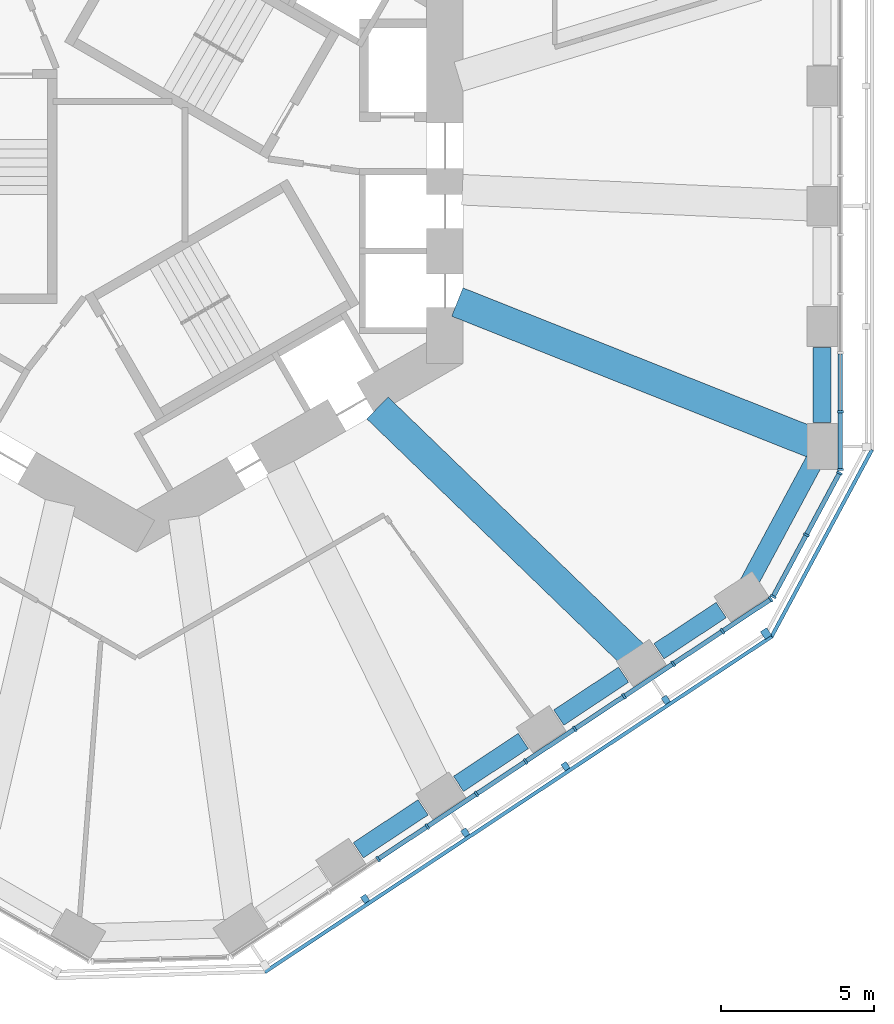
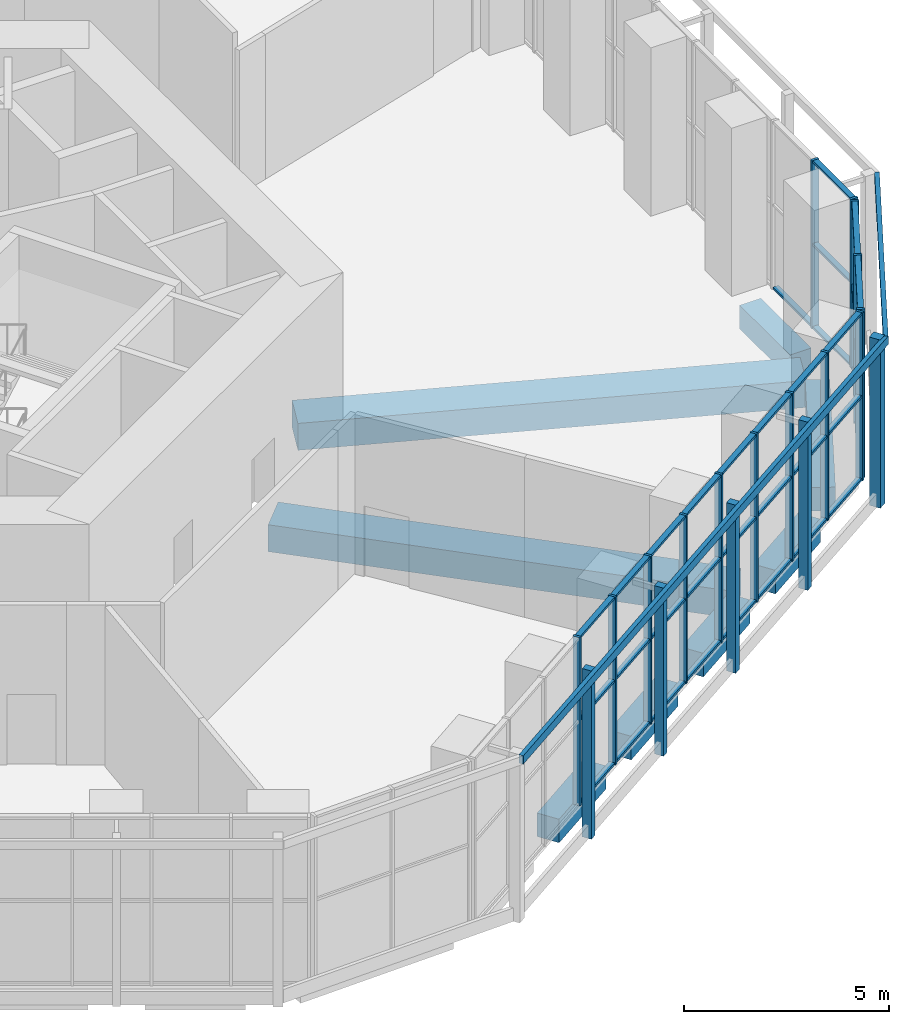
# One storey, part 5 of 19: 55 members, 8 beams, 5 elements without a shape of their own.
"""IFC4 building model written with IfcOpenShell, lengths in metres."""

from ifc_helpers import new_model, si_unit, direction, frame, origin, origin_2d, place, context, subcontext, project, spatial, rectangle, extrude, material, material_profile, profile_set, type_object, element, aggregate, save


model = new_model("IFC4")

# Units and contexts
model_context = context("Model", 3, precision=1e-05, world=origin(), true_north=direction((0.0, 1.0)))
body_context = subcontext(model_context, "Body", "Model", "MODEL_VIEW")
ifc_project = project(units=[si_unit("LENGTHUNIT", "METRE"), si_unit("AREAUNIT", "SQUARE_METRE"), si_unit("VOLUMEUNIT", "CUBIC_METRE"), si_unit("PLANEANGLEUNIT", "RADIAN"), si_unit("MASSUNIT", "GRAM", prefix="KILO")], contexts=[model_context])

# Site, building, storey
site_placement = place(None, origin())
site = spatial("IfcSite", under=ifc_project, at=site_placement, CompositionType="ELEMENT")
building_placement = place(site_placement, origin())
building = spatial("IfcBuilding", under=site, at=building_placement, Name="Vanh Sen Convention Tower", CompositionType="ELEMENT")
storey_placement = place(building_placement, frame((0.0, 0.0, 39.0)))
storey = spatial("IfcBuildingStorey", under=building, at=storey_placement, Name="L06", CompositionType="ELEMENT", Elevation=39.0)

# Curtain wall, members
ifc_material_1 = material(Name="Aluminium structural glazing system", Category="aluminium")
curtain_wall_type_1 = type_object("IfcCurtainWallType", Name="Hotel lobby structural glazing", PredefinedType="NOTDEFINED", material=ifc_material_1)
curtain_wall_1_placement = place(storey_placement, origin())
curtain_wall_1 = element("IfcCurtainWall", 1, at=curtain_wall_1_placement, inside=storey, type_object=curtain_wall_type_1, Name="Hotel lobby glazing E L06", PredefinedType="NOTDEFINED")
ifc_material_2 = material(Name="Aluminium mullion", Category="aluminium")
ifc_material_profile_1 = material_profile(ifc_material_2, rectangle(XDim=0.199951171875, YDim=0.070068359375, at=origin_2d()), Name="Lobby glazing mullion 70 x 200")
ifc_profile_set_1 = profile_set([ifc_material_profile_1], Name="Aluminium mullion")
member_type_1 = type_object("IfcMemberType", Name="Lobby glazing mullion 70 x 200", PredefinedType="MULLION", material=ifc_profile_set_1)
member_1_placement = place(storey_placement, frame((23.050048828125, -9.651611328125, 0.0), z_axis=(0.0, 0.0, 1.0), x_axis=(-1.0, 0.0, 0.0)))
member_1 = element("IfcMember", 2, at=member_1_placement, type_object=member_type_1, Name="CW2 mullion 1", PredefinedType="MULLION", context=body_context, shape_type="SweptSolid", body=[
    extrude(rectangle(XDim=0.199951171875, YDim=0.070068359375, at=origin_2d()), origin(), (0.0, 0.0, 1.0), 5.0),
])
member_2_placement = place(storey_placement, frame((23.050048828125, -7.755126953125, 0.0), z_axis=(0.0, 0.0, 1.0), x_axis=(-1.0, 0.0, 0.0)))
member_2 = element("IfcMember", 3, at=member_2_placement, type_object=member_type_1, Name="CW2 mullion 2", PredefinedType="MULLION", context=body_context, shape_type="SweptSolid", body=[
    extrude(rectangle(XDim=0.199951171875, YDim=0.070068359375, at=origin_2d()), origin(), (0.0, 0.0, 1.0), 5.0),
])

curtain_wall_2_placement = place(storey_placement, origin())
curtain_wall_2 = element("IfcCurtainWall", 4, at=curtain_wall_2_placement, inside=storey, type_object=curtain_wall_type_1, Name="Hotel lobby glazing SE L06", PredefinedType="NOTDEFINED")
member_3_placement = place(storey_placement, frame((7.914794921875, -22.403076171875, 0.0), z_axis=(0.0, 0.0, 1.0), x_axis=(-0.551937178066, 0.833885694486, 0.0)))
member_3 = element("IfcMember", 5, at=member_3_placement, type_object=member_type_1, Name="CW2 mullion 4", PredefinedType="MULLION", context=body_context, shape_type="SweptSolid", body=[
    extrude(rectangle(XDim=0.199951171875, YDim=0.070068359375, at=origin_2d()), origin(), (0.0, 0.0, 1.0), 5.0),
])
member_4_placement = place(storey_placement, frame((9.525390625, -21.3369140625, 0.0), z_axis=(0.0, 0.0, 1.0), x_axis=(-0.551937178066, 0.833885694486, 0.0)))
member_4 = element("IfcMember", 6, at=member_4_placement, type_object=member_type_1, Name="CW2 mullion 5", PredefinedType="MULLION", context=body_context, shape_type="SweptSolid", body=[
    extrude(rectangle(XDim=0.199951171875, YDim=0.070068359375, at=origin_2d()), origin(), (0.0, 0.0, 1.0), 5.0),
])
member_5_placement = place(storey_placement, frame((11.135986328125, -20.270751953125, 0.0), z_axis=(0.0, 0.0, 1.0), x_axis=(-0.551937178066, 0.833885694486, 0.0)))
member_5 = element("IfcMember", 7, at=member_5_placement, type_object=member_type_1, Name="CW2 mullion 6", PredefinedType="MULLION", context=body_context, shape_type="SweptSolid", body=[
    extrude(rectangle(XDim=0.199951171875, YDim=0.070068359375, at=origin_2d()), origin(), (0.0, 0.0, 1.0), 5.0),
])
member_6_placement = place(storey_placement, frame((12.74658203125, -19.204833984375, 0.0), z_axis=(0.0, 0.0, 1.0), x_axis=(-0.551937178066, 0.833885694486, 0.0)))
member_6 = element("IfcMember", 8, at=member_6_placement, type_object=member_type_1, Name="CW2 mullion 7", PredefinedType="MULLION", context=body_context, shape_type="SweptSolid", body=[
    extrude(rectangle(XDim=0.199951171875, YDim=0.070068359375, at=origin_2d()), origin(), (0.0, 0.0, 1.0), 5.0),
])
member_7_placement = place(storey_placement, frame((14.357177734375, -18.138671875, 0.0), z_axis=(0.0, 0.0, 1.0), x_axis=(-0.551937178066, 0.833885694486, 0.0)))
member_7 = element("IfcMember", 9, at=member_7_placement, type_object=member_type_1, Name="CW2 mullion 8", PredefinedType="MULLION", context=body_context, shape_type="SweptSolid", body=[
    extrude(rectangle(XDim=0.199951171875, YDim=0.070068359375, at=origin_2d()), origin(), (0.0, 0.0, 1.0), 5.0),
])
member_8_placement = place(storey_placement, frame((15.9677734375, -17.07275390625, 0.0), z_axis=(0.0, 0.0, 1.0), x_axis=(-0.551937178066, 0.833885694486, 0.0)))
member_8 = element("IfcMember", 10, at=member_8_placement, type_object=member_type_1, Name="CW2 mullion 9", PredefinedType="MULLION", context=body_context, shape_type="SweptSolid", body=[
    extrude(rectangle(XDim=0.199951171875, YDim=0.070068359375, at=origin_2d()), origin(), (0.0, 0.0, 1.0), 5.0),
])
member_9_placement = place(storey_placement, frame((17.578369140625, -16.006591796875, 0.0), z_axis=(0.0, 0.0, 1.0), x_axis=(-0.551937178066, 0.833885694486, 0.0)))
member_9 = element("IfcMember", 11, at=member_9_placement, type_object=member_type_1, Name="CW2 mullion 10", PredefinedType="MULLION", context=body_context, shape_type="SweptSolid", body=[
    extrude(rectangle(XDim=0.199951171875, YDim=0.070068359375, at=origin_2d()), origin(), (0.0, 0.0, 1.0), 5.0),
])
member_10_placement = place(storey_placement, frame((19.18896484375, -14.940673828125, 0.0), z_axis=(0.0, 0.0, 1.0), x_axis=(-0.551937178066, 0.833885694486, 0.0)))
member_10 = element("IfcMember", 12, at=member_10_placement, type_object=member_type_1, Name="CW2 mullion 11", PredefinedType="MULLION", context=body_context, shape_type="SweptSolid", body=[
    extrude(rectangle(XDim=0.199951171875, YDim=0.070068359375, at=origin_2d()), origin(), (0.0, 0.0, 1.0), 5.0),
])
member_11_placement = place(storey_placement, frame((20.7705078125, -13.893798828125, 0.0), z_axis=(0.0, 0.0, 1.0), x_axis=(-0.551937178066, 0.833885694486, 0.0)))
member_11 = element("IfcMember", 13, at=member_11_placement, type_object=member_type_1, Name="CW2 mullion 12", PredefinedType="MULLION", context=body_context, shape_type="SweptSolid", body=[
    extrude(rectangle(XDim=0.199951171875, YDim=0.070068359375, at=origin_2d()), origin(), (0.0, 0.0, 1.0), 5.0),
])

curtain_wall_3_placement = place(storey_placement, origin())
curtain_wall_3 = element("IfcCurtainWall", 14, at=curtain_wall_3_placement, inside=storey, type_object=curtain_wall_type_1, Name="Hotel lobby glazing CH6 L06", PredefinedType="NOTDEFINED")
member_12_placement = place(storey_placement, frame((20.84912109375, -13.807861328125, 0.0), z_axis=(0.0, 0.0, 1.0), x_axis=(-0.880893858113, 0.473313860708, 0.0)))
member_12 = element("IfcMember", 15, at=member_12_placement, type_object=member_type_1, Name="CW2 mullion 1", PredefinedType="MULLION", context=body_context, shape_type="SweptSolid", body=[
    extrude(rectangle(XDim=0.199951171875, YDim=0.070068359375, at=origin_2d()), origin(), (0.0, 0.0, 1.0), 5.0),
])
member_13_placement = place(storey_placement, frame((21.935302734375, -11.7861328125, 0.0), z_axis=(0.0, 0.0, 1.0), x_axis=(-0.880893858113, 0.473313860708, 0.0)))
member_13 = element("IfcMember", 16, at=member_13_placement, type_object=member_type_1, Name="CW2 mullion 2", PredefinedType="MULLION", context=body_context, shape_type="SweptSolid", body=[
    extrude(rectangle(XDim=0.199951171875, YDim=0.070068359375, at=origin_2d()), origin(), (0.0, 0.0, 1.0), 5.0),
])
member_14_placement = place(storey_placement, frame((23.021484375, -9.7646484375, 0.0), z_axis=(0.0, 0.0, 1.0), x_axis=(-0.880893858113, 0.473313860708, 0.0)))
member_14 = element("IfcMember", 17, at=member_14_placement, type_object=member_type_1, Name="CW2 mullion 3", PredefinedType="MULLION", context=body_context, shape_type="SweptSolid", body=[
    extrude(rectangle(XDim=0.199951171875, YDim=0.070068359375, at=origin_2d()), origin(), (0.0, 0.0, 1.0), 5.0),
])

# Member
ifc_material_3 = material(Name="Aluminium transom", Category="aluminium")
ifc_material_profile_2 = material_profile(ifc_material_3, rectangle(XDim=0.14990234375, YDim=0.070068359375, at=origin_2d()), Name="Lobby glazing transom 150 x 70")
ifc_profile_set_2 = profile_set([ifc_material_profile_2], Name="Aluminium transom")
member_type_2 = type_object("IfcMemberType", Name="Lobby glazing transom 150 x 70", PredefinedType="USERDEFINED", material=ifc_profile_set_2)
member_15_placement = place(storey_placement, frame((23.050048828125, -9.61669921875, 0.034912109375), z_axis=(0.0, 1.0, 0.0), x_axis=(-1.0, 0.0, 0.0)))
member_15 = element("IfcMember", 18, at=member_15_placement, type_object=member_type_2, Name="CW2 transom 1.1", ObjectType="TRANSOM", PredefinedType="USERDEFINED", context=body_context, shape_type="SweptSolid", body=[
    extrude(rectangle(XDim=0.14990234375, YDim=0.070068359375, at=origin_2d()), origin(), (0.0, 0.0, 1.0), 1.82666015625),
])

member_16_placement = place(storey_placement, frame((23.050048828125, -9.61669921875, 2.5), z_axis=(0.0, 1.0, 0.0), x_axis=(-1.0, 0.0, 0.0)))
member_16 = element("IfcMember", 19, at=member_16_placement, type_object=member_type_2, Name="CW2 transom 1.2", ObjectType="TRANSOM", PredefinedType="USERDEFINED", context=body_context, shape_type="SweptSolid", body=[
    extrude(rectangle(XDim=0.14990234375, YDim=0.070068359375, at=origin_2d()), origin(), (0.0, 0.0, 1.0), 1.82666015625),
])

member_17_placement = place(storey_placement, frame((23.050048828125, -9.61669921875, 4.965087890625), z_axis=(0.0, 1.0, 0.0), x_axis=(-1.0, 0.0, 0.0)))
member_17 = element("IfcMember", 20, at=member_17_placement, type_object=member_type_2, Name="CW2 transom 1.3", ObjectType="TRANSOM", PredefinedType="USERDEFINED", context=body_context, shape_type="SweptSolid", body=[
    extrude(rectangle(XDim=0.14990234375, YDim=0.070068359375, at=origin_2d()), origin(), (0.0, 0.0, 1.0), 1.82666015625),
])

member_18_placement = place(storey_placement, frame((23.050048828125, -7.72021484375, 0.034912109375), z_axis=(0.0, 1.0, 0.0), x_axis=(-1.0, 0.0, 0.0)))
member_18 = element("IfcMember", 21, at=member_18_placement, type_object=member_type_2, Name="CW2 transom 2.1", ObjectType="TRANSOM", PredefinedType="USERDEFINED", context=body_context, shape_type="SweptSolid", body=[
    extrude(rectangle(XDim=0.14990234375, YDim=0.070068359375, at=origin_2d()), origin(), (0.0, 0.0, 1.0), 1.861572265625),
])

aggregate(curtain_wall_1, [member_1, member_2, member_15, member_16, member_17, member_18])

member_19_placement = place(storey_placement, frame((7.94384765625, -22.383544921875, 0.034912109375), z_axis=(0.833902023759, 0.551912506445, 0.0), x_axis=(-0.551912506445, 0.833902023759, 0.0)))
member_19 = element("IfcMember", 22, at=member_19_placement, type_object=member_type_2, Name="CW2 transom 4.1", ObjectType="TRANSOM", PredefinedType="USERDEFINED", context=body_context, shape_type="SweptSolid", body=[
    extrude(rectangle(XDim=0.14990234375, YDim=0.070068359375, at=origin_2d()), origin(), (0.0, 0.0, 1.0), 1.861328125),
])

member_20_placement = place(storey_placement, frame((7.94384765625, -22.383544921875, 2.5), z_axis=(0.833902023759, 0.551912506445, 0.0), x_axis=(-0.551912506445, 0.833902023759, 0.0)))
member_20 = element("IfcMember", 23, at=member_20_placement, type_object=member_type_2, Name="CW2 transom 4.2", ObjectType="TRANSOM", PredefinedType="USERDEFINED", context=body_context, shape_type="SweptSolid", body=[
    extrude(rectangle(XDim=0.14990234375, YDim=0.070068359375, at=origin_2d()), origin(), (0.0, 0.0, 1.0), 1.861328125),
])

member_21_placement = place(storey_placement, frame((7.94384765625, -22.383544921875, 4.965087890625), z_axis=(0.833902023759, 0.551912506445, 0.0), x_axis=(-0.551912506445, 0.833902023759, 0.0)))
member_21 = element("IfcMember", 24, at=member_21_placement, type_object=member_type_2, Name="CW2 transom 4.3", ObjectType="TRANSOM", PredefinedType="USERDEFINED", context=body_context, shape_type="SweptSolid", body=[
    extrude(rectangle(XDim=0.14990234375, YDim=0.070068359375, at=origin_2d()), origin(), (0.0, 0.0, 1.0), 1.861328125),
])

member_22_placement = place(storey_placement, frame((9.554443359375, -21.317626953125, 0.034912109375), z_axis=(0.833902023759, 0.551912506445, 0.0), x_axis=(-0.551912506445, 0.833902023759, 0.0)))
member_22 = element("IfcMember", 25, at=member_22_placement, type_object=member_type_2, Name="CW2 transom 5.1", ObjectType="TRANSOM", PredefinedType="USERDEFINED", context=body_context, shape_type="SweptSolid", body=[
    extrude(rectangle(XDim=0.14990234375, YDim=0.070068359375, at=origin_2d()), origin(), (0.0, 0.0, 1.0), 1.861328125),
])

member_23_placement = place(storey_placement, frame((9.554443359375, -21.317626953125, 2.5), z_axis=(0.833902023759, 0.551912506445, 0.0), x_axis=(-0.551912506445, 0.833902023759, 0.0)))
member_23 = element("IfcMember", 26, at=member_23_placement, type_object=member_type_2, Name="CW2 transom 5.2", ObjectType="TRANSOM", PredefinedType="USERDEFINED", context=body_context, shape_type="SweptSolid", body=[
    extrude(rectangle(XDim=0.14990234375, YDim=0.070068359375, at=origin_2d()), origin(), (0.0, 0.0, 1.0), 1.861328125),
])

member_24_placement = place(storey_placement, frame((9.554443359375, -21.317626953125, 4.965087890625), z_axis=(0.833902023759, 0.551912506445, 0.0), x_axis=(-0.551912506445, 0.833902023759, 0.0)))
member_24 = element("IfcMember", 27, at=member_24_placement, type_object=member_type_2, Name="CW2 transom 5.3", ObjectType="TRANSOM", PredefinedType="USERDEFINED", context=body_context, shape_type="SweptSolid", body=[
    extrude(rectangle(XDim=0.14990234375, YDim=0.070068359375, at=origin_2d()), origin(), (0.0, 0.0, 1.0), 1.861328125),
])

member_25_placement = place(storey_placement, frame((11.165283203125, -20.25146484375, 0.034912109375), z_axis=(0.833902023759, 0.551912506445, 0.0), x_axis=(-0.551912506445, 0.833902023759, 0.0)))
member_25 = element("IfcMember", 28, at=member_25_placement, type_object=member_type_2, Name="CW2 transom 6.1", ObjectType="TRANSOM", PredefinedType="USERDEFINED", context=body_context, shape_type="SweptSolid", body=[
    extrude(rectangle(XDim=0.14990234375, YDim=0.070068359375, at=origin_2d()), origin(), (0.0, 0.0, 1.0), 1.861328125),
])

member_26_placement = place(storey_placement, frame((11.165283203125, -20.25146484375, 2.5), z_axis=(0.833902023759, 0.551912506445, 0.0), x_axis=(-0.551912506445, 0.833902023759, 0.0)))
member_26 = element("IfcMember", 29, at=member_26_placement, type_object=member_type_2, Name="CW2 transom 6.2", ObjectType="TRANSOM", PredefinedType="USERDEFINED", context=body_context, shape_type="SweptSolid", body=[
    extrude(rectangle(XDim=0.14990234375, YDim=0.070068359375, at=origin_2d()), origin(), (0.0, 0.0, 1.0), 1.861328125),
])

member_27_placement = place(storey_placement, frame((11.165283203125, -20.25146484375, 4.965087890625), z_axis=(0.833902023759, 0.551912506445, 0.0), x_axis=(-0.551912506445, 0.833902023759, 0.0)))
member_27 = element("IfcMember", 30, at=member_27_placement, type_object=member_type_2, Name="CW2 transom 6.3", ObjectType="TRANSOM", PredefinedType="USERDEFINED", context=body_context, shape_type="SweptSolid", body=[
    extrude(rectangle(XDim=0.14990234375, YDim=0.070068359375, at=origin_2d()), origin(), (0.0, 0.0, 1.0), 1.861328125),
])

member_28_placement = place(storey_placement, frame((12.77587890625, -19.185546875, 0.034912109375), z_axis=(0.833902023759, 0.551912506445, 0.0), x_axis=(-0.551912506445, 0.833902023759, 0.0)))
member_28 = element("IfcMember", 31, at=member_28_placement, type_object=member_type_2, Name="CW2 transom 7.1", ObjectType="TRANSOM", PredefinedType="USERDEFINED", context=body_context, shape_type="SweptSolid", body=[
    extrude(rectangle(XDim=0.14990234375, YDim=0.070068359375, at=origin_2d()), origin(), (0.0, 0.0, 1.0), 1.861328125),
])

member_29_placement = place(storey_placement, frame((12.77587890625, -19.185546875, 2.5), z_axis=(0.833902023759, 0.551912506445, 0.0), x_axis=(-0.551912506445, 0.833902023759, 0.0)))
member_29 = element("IfcMember", 32, at=member_29_placement, type_object=member_type_2, Name="CW2 transom 7.2", ObjectType="TRANSOM", PredefinedType="USERDEFINED", context=body_context, shape_type="SweptSolid", body=[
    extrude(rectangle(XDim=0.14990234375, YDim=0.070068359375, at=origin_2d()), origin(), (0.0, 0.0, 1.0), 1.861328125),
])

member_30_placement = place(storey_placement, frame((12.77587890625, -19.185546875, 4.965087890625), z_axis=(0.833902023759, 0.551912506445, 0.0), x_axis=(-0.551912506445, 0.833902023759, 0.0)))
member_30 = element("IfcMember", 33, at=member_30_placement, type_object=member_type_2, Name="CW2 transom 7.3", ObjectType="TRANSOM", PredefinedType="USERDEFINED", context=body_context, shape_type="SweptSolid", body=[
    extrude(rectangle(XDim=0.14990234375, YDim=0.070068359375, at=origin_2d()), origin(), (0.0, 0.0, 1.0), 1.861328125),
])

member_31_placement = place(storey_placement, frame((14.386474609375, -18.119384765625, 0.034912109375), z_axis=(0.833902023759, 0.551912506445, 0.0), x_axis=(-0.551912506445, 0.833902023759, 0.0)))
member_31 = element("IfcMember", 34, at=member_31_placement, type_object=member_type_2, Name="CW2 transom 8.1", ObjectType="TRANSOM", PredefinedType="USERDEFINED", context=body_context, shape_type="SweptSolid", body=[
    extrude(rectangle(XDim=0.14990234375, YDim=0.070068359375, at=origin_2d()), origin(), (0.0, 0.0, 1.0), 1.861328125),
])

member_32_placement = place(storey_placement, frame((14.386474609375, -18.119384765625, 2.5), z_axis=(0.833902023759, 0.551912506445, 0.0), x_axis=(-0.551912506445, 0.833902023759, 0.0)))
member_32 = element("IfcMember", 35, at=member_32_placement, type_object=member_type_2, Name="CW2 transom 8.2", ObjectType="TRANSOM", PredefinedType="USERDEFINED", context=body_context, shape_type="SweptSolid", body=[
    extrude(rectangle(XDim=0.14990234375, YDim=0.070068359375, at=origin_2d()), origin(), (0.0, 0.0, 1.0), 1.861328125),
])

member_33_placement = place(storey_placement, frame((14.386474609375, -18.119384765625, 4.965087890625), z_axis=(0.833902023759, 0.551912506445, 0.0), x_axis=(-0.551912506445, 0.833902023759, 0.0)))
member_33 = element("IfcMember", 36, at=member_33_placement, type_object=member_type_2, Name="CW2 transom 8.3", ObjectType="TRANSOM", PredefinedType="USERDEFINED", context=body_context, shape_type="SweptSolid", body=[
    extrude(rectangle(XDim=0.14990234375, YDim=0.070068359375, at=origin_2d()), origin(), (0.0, 0.0, 1.0), 1.861328125),
])

member_34_placement = place(storey_placement, frame((15.9970703125, -17.053466796875, 0.034912109375), z_axis=(0.833902023759, 0.551912506445, 0.0), x_axis=(-0.551912506445, 0.833902023759, 0.0)))
member_34 = element("IfcMember", 37, at=member_34_placement, type_object=member_type_2, Name="CW2 transom 9.1", ObjectType="TRANSOM", PredefinedType="USERDEFINED", context=body_context, shape_type="SweptSolid", body=[
    extrude(rectangle(XDim=0.14990234375, YDim=0.070068359375, at=origin_2d()), origin(), (0.0, 0.0, 1.0), 1.861328125),
])

member_35_placement = place(storey_placement, frame((15.9970703125, -17.053466796875, 2.5), z_axis=(0.833902023759, 0.551912506445, 0.0), x_axis=(-0.551912506445, 0.833902023759, 0.0)))
member_35 = element("IfcMember", 38, at=member_35_placement, type_object=member_type_2, Name="CW2 transom 9.2", ObjectType="TRANSOM", PredefinedType="USERDEFINED", context=body_context, shape_type="SweptSolid", body=[
    extrude(rectangle(XDim=0.14990234375, YDim=0.070068359375, at=origin_2d()), origin(), (0.0, 0.0, 1.0), 1.861328125),
])

member_36_placement = place(storey_placement, frame((15.9970703125, -17.053466796875, 4.965087890625), z_axis=(0.833902023759, 0.551912506445, 0.0), x_axis=(-0.551912506445, 0.833902023759, 0.0)))
member_36 = element("IfcMember", 39, at=member_36_placement, type_object=member_type_2, Name="CW2 transom 9.3", ObjectType="TRANSOM", PredefinedType="USERDEFINED", context=body_context, shape_type="SweptSolid", body=[
    extrude(rectangle(XDim=0.14990234375, YDim=0.070068359375, at=origin_2d()), origin(), (0.0, 0.0, 1.0), 1.861328125),
])

member_37_placement = place(storey_placement, frame((17.607666015625, -15.9873046875, 0.034912109375), z_axis=(0.833902023759, 0.551912506445, 0.0), x_axis=(-0.551912506445, 0.833902023759, 0.0)))
member_37 = element("IfcMember", 40, at=member_37_placement, type_object=member_type_2, Name="CW2 transom 10.1", ObjectType="TRANSOM", PredefinedType="USERDEFINED", context=body_context, shape_type="SweptSolid", body=[
    extrude(rectangle(XDim=0.14990234375, YDim=0.070068359375, at=origin_2d()), origin(), (0.0, 0.0, 1.0), 1.861328125),
])

member_38_placement = place(storey_placement, frame((17.607666015625, -15.9873046875, 2.5), z_axis=(0.833902023759, 0.551912506445, 0.0), x_axis=(-0.551912506445, 0.833902023759, 0.0)))
member_38 = element("IfcMember", 41, at=member_38_placement, type_object=member_type_2, Name="CW2 transom 10.2", ObjectType="TRANSOM", PredefinedType="USERDEFINED", context=body_context, shape_type="SweptSolid", body=[
    extrude(rectangle(XDim=0.14990234375, YDim=0.070068359375, at=origin_2d()), origin(), (0.0, 0.0, 1.0), 1.861328125),
])

member_39_placement = place(storey_placement, frame((17.607666015625, -15.9873046875, 4.965087890625), z_axis=(0.833902023759, 0.551912506445, 0.0), x_axis=(-0.551912506445, 0.833902023759, 0.0)))
member_39 = element("IfcMember", 42, at=member_39_placement, type_object=member_type_2, Name="CW2 transom 10.3", ObjectType="TRANSOM", PredefinedType="USERDEFINED", context=body_context, shape_type="SweptSolid", body=[
    extrude(rectangle(XDim=0.14990234375, YDim=0.070068359375, at=origin_2d()), origin(), (0.0, 0.0, 1.0), 1.861328125),
])

member_40_placement = place(storey_placement, frame((19.21826171875, -14.92138671875, 0.034912109375), z_axis=(0.833876109018, 0.551951659848, 0.0), x_axis=(-0.551951659848, 0.833876109018, 0.0)))
member_40 = element("IfcMember", 43, at=member_40_placement, type_object=member_type_2, Name="CW2 transom 11.1", ObjectType="TRANSOM", PredefinedType="USERDEFINED", context=body_context, shape_type="SweptSolid", body=[
    extrude(rectangle(XDim=0.14990234375, YDim=0.070068359375, at=origin_2d()), origin(), (0.0, 0.0, 1.0), 1.826416015625),
])

member_41_placement = place(storey_placement, frame((19.21826171875, -14.92138671875, 2.5), z_axis=(0.833876109018, 0.551951659848, 0.0), x_axis=(-0.551951659848, 0.833876109018, 0.0)))
member_41 = element("IfcMember", 44, at=member_41_placement, type_object=member_type_2, Name="CW2 transom 11.2", ObjectType="TRANSOM", PredefinedType="USERDEFINED", context=body_context, shape_type="SweptSolid", body=[
    extrude(rectangle(XDim=0.14990234375, YDim=0.070068359375, at=origin_2d()), origin(), (0.0, 0.0, 1.0), 1.826416015625),
])

member_42_placement = place(storey_placement, frame((19.21826171875, -14.92138671875, 4.965087890625), z_axis=(0.833876109018, 0.551951659848, 0.0), x_axis=(-0.551951659848, 0.833876109018, 0.0)))
member_42 = element("IfcMember", 45, at=member_42_placement, type_object=member_type_2, Name="CW2 transom 11.3", ObjectType="TRANSOM", PredefinedType="USERDEFINED", context=body_context, shape_type="SweptSolid", body=[
    extrude(rectangle(XDim=0.14990234375, YDim=0.070068359375, at=origin_2d()), origin(), (0.0, 0.0, 1.0), 1.826416015625),
])

aggregate(curtain_wall_2, [member_3, member_4, member_5, member_6, member_7, member_8, member_9, member_10, member_11, member_19, member_20, member_21, member_22, member_23, member_24, member_25, member_26, member_27, member_28, member_29, member_30, member_31, member_32, member_33, member_34, member_35, member_36, member_37, member_38, member_39, member_40, member_41, member_42])

member_43_placement = place(storey_placement, frame((20.86572265625, -13.77685546875, 0.034912109375), z_axis=(0.473314329573, 0.880893606187, 0.0), x_axis=(-0.880893606187, 0.473314329573, 0.0)))
member_43 = element("IfcMember", 46, at=member_43_placement, type_object=member_type_2, Name="CW2 transom 1.1", ObjectType="TRANSOM", PredefinedType="USERDEFINED", context=body_context, shape_type="SweptSolid", body=[
    extrude(rectangle(XDim=0.14990234375, YDim=0.070068359375, at=origin_2d()), origin(), (0.0, 0.0, 1.0), 2.224609375),
])

member_44_placement = place(storey_placement, frame((20.86572265625, -13.77685546875, 2.5), z_axis=(0.473314329573, 0.880893606187, 0.0), x_axis=(-0.880893606187, 0.473314329573, 0.0)))
member_44 = element("IfcMember", 47, at=member_44_placement, type_object=member_type_2, Name="CW2 transom 1.2", ObjectType="TRANSOM", PredefinedType="USERDEFINED", context=body_context, shape_type="SweptSolid", body=[
    extrude(rectangle(XDim=0.14990234375, YDim=0.070068359375, at=origin_2d()), origin(), (0.0, 0.0, 1.0), 2.224609375),
])

member_45_placement = place(storey_placement, frame((20.86572265625, -13.77685546875, 4.965087890625), z_axis=(0.473314329573, 0.880893606187, 0.0), x_axis=(-0.880893606187, 0.473314329573, 0.0)))
member_45 = element("IfcMember", 48, at=member_45_placement, type_object=member_type_2, Name="CW2 transom 1.3", ObjectType="TRANSOM", PredefinedType="USERDEFINED", context=body_context, shape_type="SweptSolid", body=[
    extrude(rectangle(XDim=0.14990234375, YDim=0.070068359375, at=origin_2d()), origin(), (0.0, 0.0, 1.0), 2.224609375),
])

member_46_placement = place(storey_placement, frame((21.951904296875, -11.75537109375, 0.034912109375), z_axis=(0.473314329573, 0.880893606187, 0.0), x_axis=(-0.880893606187, 0.473314329573, 0.0)))
member_46 = element("IfcMember", 49, at=member_46_placement, type_object=member_type_2, Name="CW2 transom 2.1", ObjectType="TRANSOM", PredefinedType="USERDEFINED", context=body_context, shape_type="SweptSolid", body=[
    extrude(rectangle(XDim=0.14990234375, YDim=0.070068359375, at=origin_2d()), origin(), (0.0, 0.0, 1.0), 2.224609375),
])

member_47_placement = place(storey_placement, frame((21.951904296875, -11.75537109375, 2.5), z_axis=(0.473314329573, 0.880893606187, 0.0), x_axis=(-0.880893606187, 0.473314329573, 0.0)))
member_47 = element("IfcMember", 50, at=member_47_placement, type_object=member_type_2, Name="CW2 transom 2.2", ObjectType="TRANSOM", PredefinedType="USERDEFINED", context=body_context, shape_type="SweptSolid", body=[
    extrude(rectangle(XDim=0.14990234375, YDim=0.070068359375, at=origin_2d()), origin(), (0.0, 0.0, 1.0), 2.224609375),
])

member_48_placement = place(storey_placement, frame((21.951904296875, -11.75537109375, 4.965087890625), z_axis=(0.473314329573, 0.880893606187, 0.0), x_axis=(-0.880893606187, 0.473314329573, 0.0)))
member_48 = element("IfcMember", 51, at=member_48_placement, type_object=member_type_2, Name="CW2 transom 2.3", ObjectType="TRANSOM", PredefinedType="USERDEFINED", context=body_context, shape_type="SweptSolid", body=[
    extrude(rectangle(XDim=0.14990234375, YDim=0.070068359375, at=origin_2d()), origin(), (0.0, 0.0, 1.0), 2.224609375),
])

aggregate(curtain_wall_3, [member_12, member_13, member_14, member_43, member_44, member_45, member_46, member_47, member_48])

# Curtain wall, members
ifc_material_4 = material(Name="Concrete C50/60", Category="concrete")
curtain_wall_type_2 = type_object("IfcCurtainWallType", Name="Outer skin hotel zone", PredefinedType="NOTDEFINED", material=ifc_material_4)
curtain_wall_4_placement = place(storey_placement, origin())
curtain_wall_4 = element("IfcCurtainWall", 52, at=curtain_wall_4_placement, inside=storey, type_object=curtain_wall_type_2, Name="OUTER SKIN SE L06", PredefinedType="NOTDEFINED")
ifc_material_profile_3 = material_profile(ifc_material_4, rectangle(XDim=0.25, YDim=0.300048828125, at=origin_2d()), Name="Outer skin precast corner fin 250 x 300")
ifc_profile_set_3 = profile_set([ifc_material_profile_3], Name="Concrete C50/60")
member_type_3 = type_object("IfcMemberType", Name="Outer skin precast corner fin 250 x 300", PredefinedType="MULLION", material=ifc_profile_set_3)
member_49_placement = place(storey_placement, frame((20.6123046875, -15.01806640625, 0.0), z_axis=(0.0, 0.0, 1.0), x_axis=(0.833885822067, 0.551936985312, 0.0)))
member_49 = element("IfcMember", 53, at=member_49_placement, type_object=member_type_3, Name="OUTER SKIN CORNER FIN 6 SE L06", PredefinedType="MULLION", context=body_context, shape_type="SweptSolid", body=[
    extrude(rectangle(XDim=0.25, YDim=0.300048828125, at=origin_2d()), origin(), (0.0, 0.0, 1.0), 5.0),
])
ifc_material_profile_4 = material_profile(ifc_material_4, rectangle(XDim=0.199951171875, YDim=0.25, at=origin_2d()), Name="Outer skin precast fin 200 x 250")
ifc_profile_set_4 = profile_set([ifc_material_profile_4], Name="Concrete C50/60")
member_type_4 = type_object("IfcMemberType", Name="Outer skin precast fin 200 x 250", PredefinedType="MULLION", material=ifc_profile_set_4)
member_50_placement = place(storey_placement, frame((7.48828125, -23.70458984375, 0.0), z_axis=(0.0, 0.0, 1.0), x_axis=(0.833885822067, 0.551936985312, 0.0)))
member_50 = element("IfcMember", 54, at=member_50_placement, type_object=member_type_4, Name="OUTER SKIN fin 2 SE L06", PredefinedType="MULLION", context=body_context, shape_type="SweptSolid", body=[
    extrude(rectangle(XDim=0.199951171875, YDim=0.25, at=origin_2d()), origin(), (0.0, 0.0, 1.0), 5.0),
])
member_51_placement = place(storey_placement, frame((10.769287109375, -21.532958984375, 0.0), z_axis=(0.0, 0.0, 1.0), x_axis=(0.833885822067, 0.551936985312, 0.0)))
member_51 = element("IfcMember", 55, at=member_51_placement, type_object=member_type_4, Name="OUTER SKIN fin 3 SE L06", PredefinedType="MULLION", context=body_context, shape_type="SweptSolid", body=[
    extrude(rectangle(XDim=0.199951171875, YDim=0.25, at=origin_2d()), origin(), (0.0, 0.0, 1.0), 5.0),
])
member_52_placement = place(storey_placement, frame((14.05029296875, -19.361328125, 0.0), z_axis=(0.0, 0.0, 1.0), x_axis=(0.833885822067, 0.551936985312, 0.0)))
member_52 = element("IfcMember", 56, at=member_52_placement, type_object=member_type_4, Name="OUTER SKIN fin 4 SE L06", PredefinedType="MULLION", context=body_context, shape_type="SweptSolid", body=[
    extrude(rectangle(XDim=0.199951171875, YDim=0.25, at=origin_2d()), origin(), (0.0, 0.0, 1.0), 5.0),
])
member_53_placement = place(storey_placement, frame((17.331298828125, -17.189697265625, 0.0), z_axis=(0.0, 0.0, 1.0), x_axis=(0.833885822067, 0.551936985312, 0.0)))
member_53 = element("IfcMember", 57, at=member_53_placement, type_object=member_type_4, Name="OUTER SKIN fin 5 SE L06", PredefinedType="MULLION", context=body_context, shape_type="SweptSolid", body=[
    extrude(rectangle(XDim=0.199951171875, YDim=0.25, at=origin_2d()), origin(), (0.0, 0.0, 1.0), 5.0),
])
ifc_material_profile_5 = material_profile(ifc_material_4, rectangle(XDim=0.1201171875, YDim=0.25, at=origin_2d()), Name="Outer skin precast spandrel band 250 x 120")
ifc_profile_set_5 = profile_set([ifc_material_profile_5], Name="Concrete C50/60")
member_type_5 = type_object("IfcMemberType", Name="Outer skin precast spandrel band 250 x 120", PredefinedType="USERDEFINED", material=ifc_profile_set_5)
member_54_placement = place(storey_placement, frame((4.205078125, -26.099609375, 4.875), z_axis=(0.833883851182, 0.551939962984, 0.0), x_axis=(-0.551939962984, 0.833883851182, 0.0)))
member_54 = element("IfcMember", 58, at=member_54_placement, type_object=member_type_5, Name="OUTER SKIN spandrel band SE L06", ObjectType="TRANSOM", PredefinedType="USERDEFINED", context=body_context, shape_type="SweptSolid", body=[
    extrude(rectangle(XDim=0.1201171875, YDim=0.25, at=origin_2d()), origin(), (0.0, 0.0, 1.0), 19.923095703125),
])
aggregate(curtain_wall_4, [member_50, member_51, member_52, member_53, member_49, member_54])

# Curtain wall, member
curtain_wall_5_placement = place(storey_placement, origin())
curtain_wall_5 = element("IfcCurtainWall", 59, at=curtain_wall_5_placement, inside=storey, type_object=curtain_wall_type_2, Name="OUTER SKIN CH6 L06", PredefinedType="NOTDEFINED")
member_55_placement = place(storey_placement, frame((20.797119140625, -15.117431640625, 4.875), z_axis=(0.473324148816, 0.880888330123, 0.0), x_axis=(-0.880888330123, 0.473324148816, 0.0)))
member_55 = element("IfcMember", 60, at=member_55_placement, type_object=member_type_5, Name="OUTER SKIN spandrel band CH6 L06", ObjectType="TRANSOM", PredefinedType="USERDEFINED", context=body_context, shape_type="SweptSolid", body=[
    extrude(rectangle(XDim=0.1201171875, YDim=0.25, at=origin_2d()), origin(), (0.0, 0.0, 1.0), 6.9462890625),
])
aggregate(curtain_wall_5, [member_55])

# Beams
ifc_material_5 = material(Name="Concrete C50/60", Category="concrete")
ifc_material_profile_6 = material_profile(ifc_material_5, rectangle(XDim=1.0, YDim=0.800048828125, at=origin_2d()), Name="RC 1000X800")
ifc_profile_set_6 = profile_set([ifc_material_profile_6], Name="Concrete C50/60")
beam_type_1 = type_object("IfcBeamType", Name="Radial floor beam 1000 x 800", PredefinedType="BEAM", material=ifc_profile_set_6)
beam_1_placement = place(storey_placement, frame((22.138916015625, -8.77587890625, -0.699951171875), z_axis=(-0.929624483463, 0.368508235655, 0.0), x_axis=(-0.368508235655, -0.929624483463, 0.0)))
element("IfcBeam", 61, at=beam_1_placement, inside=storey, type_object=beam_type_1, Name="Radial beam 01 L06", PredefinedType="BEAM", context=body_context, shape_type="SweptSolid", body=[
    extrude(rectangle(XDim=1.0, YDim=0.800048828125, at=origin_2d()), origin(), (0.0, 0.0, 1.0), 12.50830078125),
])
beam_2_placement = place(storey_placement, frame((16.245849609375, -15.705078125, -0.699951171875), z_axis=(-0.718976471313, 0.695034411881, 0.0), x_axis=(-0.695034411881, -0.718976471313, 0.0)))
element("IfcBeam", 62, at=beam_2_placement, inside=storey, type_object=beam_type_1, Name="Radial beam 18 L06", PredefinedType="BEAM", context=body_context, shape_type="SweptSolid", body=[
    extrude(rectangle(XDim=1.0, YDim=0.800048828125, at=origin_2d()), origin(), (0.0, 0.0, 1.0), 11.614501953125),
])
ifc_material_profile_7 = material_profile(ifc_material_5, rectangle(XDim=0.60009765625, YDim=0.699951171875, at=origin_2d()), Name="RC 600X700")
ifc_profile_set_7 = profile_set([ifc_material_profile_7], Name="Concrete C50/60")
beam_type_2 = type_object("IfcBeamType", Name="Spandrel beam 600 x 700", PredefinedType="SPANDREL", material=ifc_profile_set_7)
beam_3_placement = place(storey_placement, frame((22.449951171875, -8.104248046875, -0.64990234375), z_axis=(0.0, 1.0, 0.0), x_axis=(-1.0, 0.0, 0.0)))
element("IfcBeam", 63, at=beam_3_placement, inside=storey, type_object=beam_type_2, Name="Spandrel beam 01 L06", PredefinedType="SPANDREL", context=body_context, shape_type="SweptSolid", body=[
    extrude(rectangle(XDim=0.60009765625, YDim=0.699951171875, at=origin_2d()), origin(), (0.0, 0.0, 1.0), 2.444580078125),
])
for number, where, z_axis, x_axis, name in (
    (64, (7.267578125, -22.11181640625, -0.64990234375), (0.833905579906, 0.551907133313, 0.0), (-0.551907133313, 0.833905579906, 0.0), "Spandrel beam 32 L06"),
    (65, (10.548583984375, -19.940185546875, -0.64990234375), (0.833905579906, 0.551907133313, 0.0), (-0.551907133313, 0.833905579906, 0.0), "Spandrel beam 33 L06"),
    (66, (13.82958984375, -17.7685546875, -0.64990234375), (0.833905579906, 0.551907133313, 0.0), (-0.551907133313, 0.833905579906, 0.0), "Spandrel beam 34 L06"),
):
    element("IfcBeam", number, at=place(storey_placement, frame(where, z_axis=z_axis, x_axis=x_axis)), inside=storey, type_object=beam_type_2, Name=name, PredefinedType="SPANDREL", context=body_context, shape_type="SweptSolid", body=[
        extrude(rectangle(XDim=0.60009765625, YDim=0.699951171875, at=origin_2d()), origin(), (0.0, 0.0, 1.0), 2.54443359375),
    ])
beam_4_placement = place(storey_placement, frame((17.110595703125, -15.596923828125, -0.64990234375), z_axis=(0.833889616853, 0.551931251974, 0.0), x_axis=(-0.551931251974, 0.833889616853, 0.0)))
element("IfcBeam", 67, at=beam_4_placement, inside=storey, type_object=beam_type_2, Name="Spandrel beam 35 L06", PredefinedType="SPANDREL", context=body_context, shape_type="SweptSolid", body=[
    extrude(rectangle(XDim=0.60009765625, YDim=0.699951171875, at=origin_2d()), origin(), (0.0, 0.0, 1.0), 2.4443359375),
])
beam_5_placement = place(storey_placement, frame((20.04541015625, -13.37451171875, -0.64990234375), z_axis=(0.473290328657, 0.880906501735, 0.0), x_axis=(-0.880906501735, 0.473290328657, 0.0)))
element("IfcBeam", 68, at=beam_5_placement, inside=storey, type_object=beam_type_2, Name="Spandrel beam 36 L06", PredefinedType="SPANDREL", context=body_context, shape_type="SweptSolid", body=[
    extrude(rectangle(XDim=0.60009765625, YDim=0.699951171875, at=origin_2d()), origin(), (0.0, 0.0, 1.0), 4.58740234375),
])

save(model, "model.ifc")
